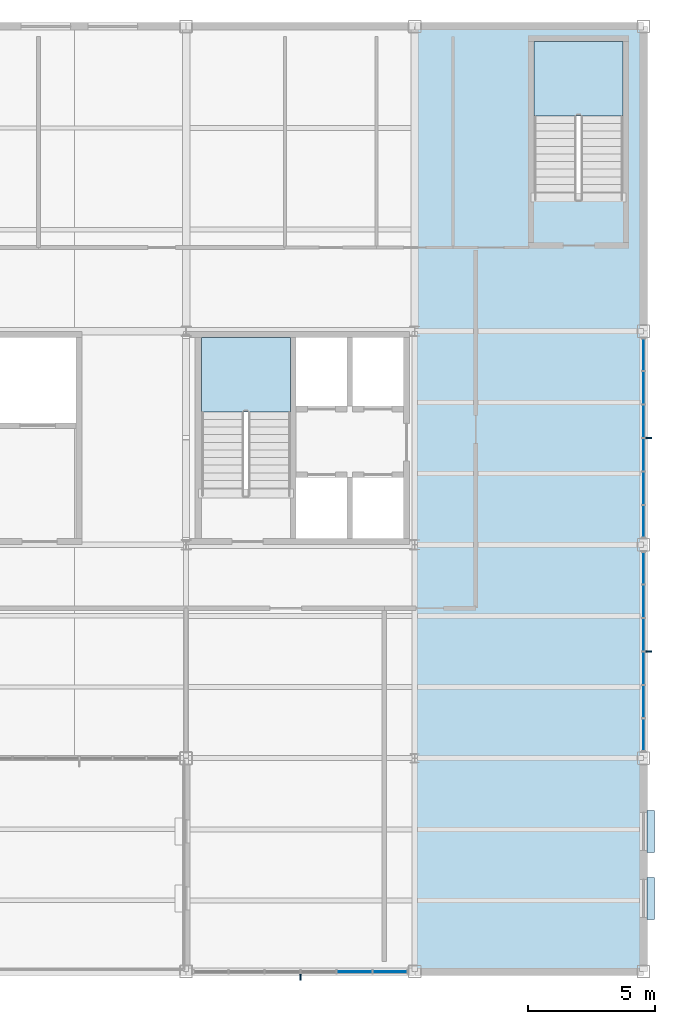
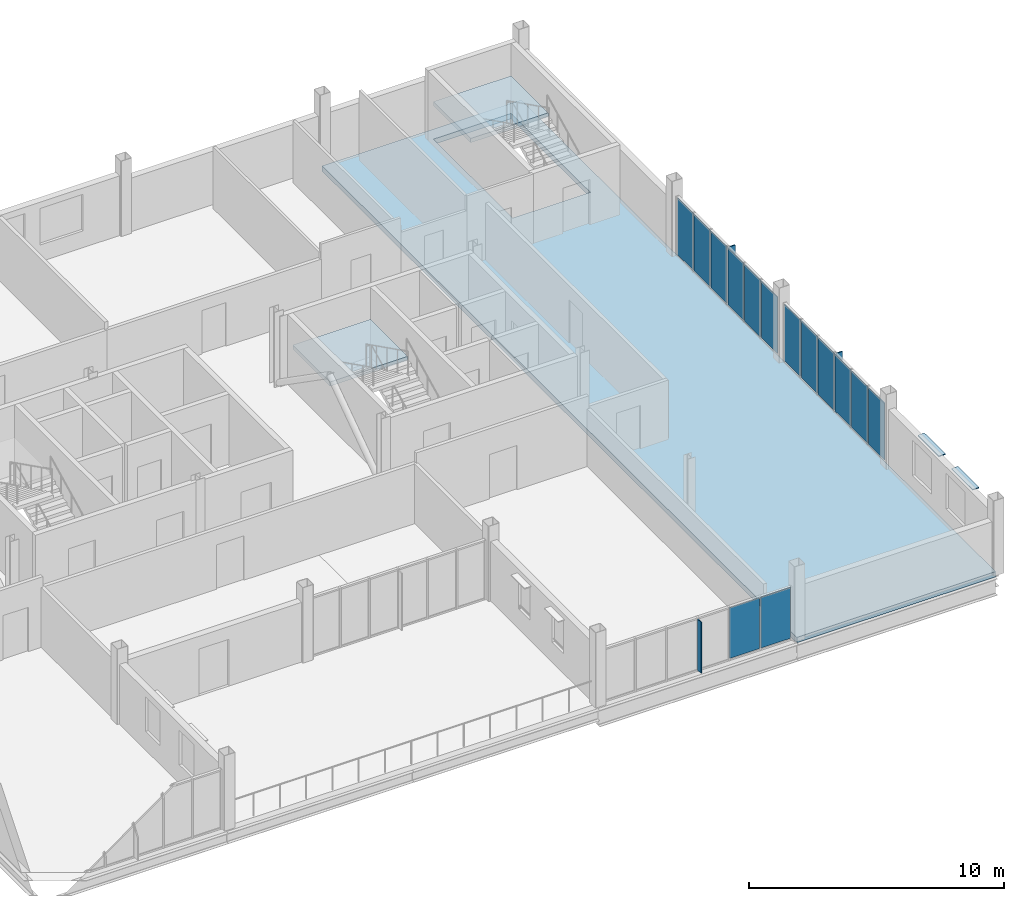
# One storey, part 12 of 20: 19 plates, 3 slabs, 5 elements without a shape of their own.
"""IFC4 building model written with IfcOpenShell, lengths in metres."""

from ifc_helpers import new_model, si_unit, direction, frame, origin, origin_2d, place, context, subcontext, project, spatial, polyline, rectangle, outline, extrude, material, layer, layer_set, type_object, element, aggregate, save


model = new_model("IFC4")

# Units and contexts
model_context = context("Model", 3, precision=1e-05, world=origin(), true_north=direction((0.0, 1.0)))
body_context = subcontext(model_context, "Body", "Model", "MODEL_VIEW")
ifc_project = project(units=[si_unit("LENGTHUNIT", "METRE"), si_unit("AREAUNIT", "SQUARE_METRE"), si_unit("VOLUMEUNIT", "CUBIC_METRE"), si_unit("PLANEANGLEUNIT", "RADIAN"), si_unit("MASSUNIT", "GRAM", prefix="KILO")], contexts=[model_context])

# Site, building, storey
site_placement = place(None, origin())
site = spatial("IfcSite", under=ifc_project, at=site_placement, CompositionType="ELEMENT")
building_placement = place(site_placement, origin())
building = spatial("IfcBuilding", under=site, at=building_placement, Name="Yukiwa Park Conservatory and Herbarium", CompositionType="ELEMENT")
storey_placement = place(building_placement, frame((0.0, 0.0, 28.199951171875)))
storey = spatial("IfcBuildingStorey", under=building, at=storey_placement, Name="L07", CompositionType="ELEMENT", Elevation=28.199951171875)

# Curtain wall, plates
ifc_material_1 = material(Name="Triple Low-E Insulated Glass", Category="glass")
ifc_layer_1 = layer(ifc_material_1, 0.248046875)
ifc_layer_set_1 = layer_set([ifc_layer_1], Name="Triple Low-E Insulated Glass")
curtain_wall_type_1 = type_object("IfcCurtainWallType", Name="CW-TOWER-LAB-S-1400", PredefinedType="NOTDEFINED", material=ifc_layer_set_1)
curtain_wall_1_placement = place(storey_placement, origin())
curtain_wall_1 = element("IfcCurtainWall", 1, at=curtain_wall_1_placement, inside=storey, type_object=curtain_wall_type_1, Name="L07 unitised curtain wall CW-L07-090", PredefinedType="NOTDEFINED")
ifc_material_2 = material(Name="Triple Low-E Insulated Glass", Category="glass")
ifc_layer_2 = layer(ifc_material_2, 0.035888671875)
ifc_layer_set_2 = layer_set([ifc_layer_2], Name="Triple Low-E Insulated Glass")
plate_type_1 = type_object("IfcPlateType", Name="PL-CW-GLZ-36", PredefinedType="CURTAIN_PANEL", material=ifc_layer_set_2)
plate_1_placement = place(storey_placement, frame((156.625, 78.0, 0.070068359375), z_axis=(0.0, 0.0, 1.0), x_axis=(1.0, 0.0, 0.0)))
plate_1 = element("IfcPlate", 2, at=plate_1_placement, type_object=plate_type_1, Name="CW-L07-090 vision panel 5.1", PredefinedType="CURTAIN_PANEL", context=body_context, shape_type="SweptSolid", body=[
    extrude(rectangle(XDim=1.3466796875, YDim=0.035888671875, at=origin_2d()), origin(), (0.0, 0.0, 1.0), 2.419921875),
])
plate_2_placement = place(storey_placement, frame((158.041748046875, 78.0, 0.070068359375), z_axis=(0.0, 0.0, 1.0), x_axis=(1.0, 0.0, 0.0)))
plate_2 = element("IfcPlate", 3, at=plate_2_placement, type_object=plate_type_1, Name="CW-L07-090 vision panel 6.1", PredefinedType="CURTAIN_PANEL", context=body_context, shape_type="SweptSolid", body=[
    extrude(rectangle(XDim=1.3466796875, YDim=0.035888671875, at=origin_2d()), origin(), (0.0, 0.0, 1.0), 2.419921875),
])
aggregate(curtain_wall_1, [plate_1, plate_2])

ifc_material_3 = material(Name="Triple Low-E Insulated Glass", Category="glass")
ifc_layer_3 = layer(ifc_material_3, 0.22412109375)
ifc_layer_set_3 = layer_set([ifc_layer_3], Name="Triple Low-E Insulated Glass")
curtain_wall_type_2 = type_object("IfcCurtainWallType", Name="CW-TOWER-CORNER-1400", PredefinedType="NOTDEFINED", material=ifc_layer_set_3)
curtain_wall_2_placement = place(storey_placement, origin())
curtain_wall_2 = element("IfcCurtainWall", 4, at=curtain_wall_2_placement, inside=storey, type_object=curtain_wall_type_2, Name="L07 unitised curtain wall CW-L07-091", PredefinedType="NOTDEFINED")
plate_3_placement = place(storey_placement, frame((168.0, 87.308349609375, 0.070068359375), z_axis=(0.0, 0.0, 1.0), x_axis=(0.0, 1.0, 0.0)))
plate_3 = element("IfcPlate", 5, at=plate_3_placement, type_object=plate_type_1, Name="CW-L07-091 vision panel 1.1", PredefinedType="CURTAIN_PANEL", context=body_context, shape_type="SweptSolid", body=[
    extrude(rectangle(XDim=1.24658203125, YDim=0.035888671875, at=origin_2d()), origin(), (0.0, 0.0, 1.0), 2.7119140625),
])
plate_4_placement = place(storey_placement, frame((168.0, 88.625, 0.070068359375), z_axis=(0.0, 0.0, 1.0), x_axis=(0.0, 1.0, 0.0)))
plate_4 = element("IfcPlate", 6, at=plate_4_placement, type_object=plate_type_1, Name="CW-L07-091 vision panel 2.1", PredefinedType="CURTAIN_PANEL", context=body_context, shape_type="SweptSolid", body=[
    extrude(rectangle(XDim=1.24658203125, YDim=0.035888671875, at=origin_2d()), origin(), (0.0, 0.0, 1.0), 2.7119140625),
])
plate_5_placement = place(storey_placement, frame((168.0, 89.941650390625, 0.070068359375), z_axis=(0.0, 0.0, 1.0), x_axis=(0.0, 1.0, 0.0)))
plate_5 = element("IfcPlate", 7, at=plate_5_placement, type_object=plate_type_1, Name="CW-L07-091 vision panel 3.1", PredefinedType="CURTAIN_PANEL", context=body_context, shape_type="SweptSolid", body=[
    extrude(rectangle(XDim=1.24658203125, YDim=0.035888671875, at=origin_2d()), origin(), (0.0, 0.0, 1.0), 2.7119140625),
])
plate_6_placement = place(storey_placement, frame((168.0, 91.25830078125, 0.070068359375), z_axis=(0.0, 0.0, 1.0), x_axis=(0.0, 1.0, 0.0)))
plate_6 = element("IfcPlate", 8, at=plate_6_placement, type_object=plate_type_1, Name="CW-L07-091 vision panel 4.1", PredefinedType="CURTAIN_PANEL", context=body_context, shape_type="SweptSolid", body=[
    extrude(rectangle(XDim=1.24658203125, YDim=0.035888671875, at=origin_2d()), origin(), (0.0, 0.0, 1.0), 2.7119140625),
])
plate_7_placement = place(storey_placement, frame((168.0, 92.574951171875, 0.070068359375), z_axis=(0.0, 0.0, 1.0), x_axis=(0.0, 1.0, 0.0)))
plate_7 = element("IfcPlate", 9, at=plate_7_placement, type_object=plate_type_1, Name="CW-L07-091 vision panel 5.1", PredefinedType="CURTAIN_PANEL", context=body_context, shape_type="SweptSolid", body=[
    extrude(rectangle(XDim=1.24658203125, YDim=0.035888671875, at=origin_2d()), origin(), (0.0, 0.0, 1.0), 2.7119140625),
])
plate_8_placement = place(storey_placement, frame((168.0, 93.8916015625, 0.070068359375), z_axis=(0.0, 0.0, 1.0), x_axis=(0.0, 1.0, 0.0)))
plate_8 = element("IfcPlate", 10, at=plate_8_placement, type_object=plate_type_1, Name="CW-L07-091 vision panel 6.1", PredefinedType="CURTAIN_PANEL", context=body_context, shape_type="SweptSolid", body=[
    extrude(rectangle(XDim=1.24658203125, YDim=0.035888671875, at=origin_2d()), origin(), (0.0, 0.0, 1.0), 2.7119140625),
])
aggregate(curtain_wall_2, [plate_3, plate_4, plate_5, plate_6, plate_7, plate_8])

curtain_wall_3_placement = place(storey_placement, origin())
curtain_wall_3 = element("IfcCurtainWall", 11, at=curtain_wall_3_placement, inside=storey, type_object=curtain_wall_type_2, Name="L07 unitised curtain wall CW-L07-092", PredefinedType="NOTDEFINED")
plate_9_placement = place(storey_placement, frame((168.0, 95.708251953125, 0.070068359375), z_axis=(0.0, 0.0, 1.0), x_axis=(0.0, 1.0, 0.0)))
plate_9 = element("IfcPlate", 12, at=plate_9_placement, type_object=plate_type_1, Name="CW-L07-092 vision panel 1.1", PredefinedType="CURTAIN_PANEL", context=body_context, shape_type="SweptSolid", body=[
    extrude(rectangle(XDim=1.24658203125, YDim=0.035888671875, at=origin_2d()), origin(), (0.0, 0.0, 1.0), 2.7119140625),
])
plate_10_placement = place(storey_placement, frame((168.0, 97.02490234375, 0.070068359375), z_axis=(0.0, 0.0, 1.0), x_axis=(0.0, 1.0, 0.0)))
plate_10 = element("IfcPlate", 13, at=plate_10_placement, type_object=plate_type_1, Name="CW-L07-092 vision panel 2.1", PredefinedType="CURTAIN_PANEL", context=body_context, shape_type="SweptSolid", body=[
    extrude(rectangle(XDim=1.24658203125, YDim=0.035888671875, at=origin_2d()), origin(), (0.0, 0.0, 1.0), 2.7119140625),
])
plate_11_placement = place(storey_placement, frame((168.0, 98.341796875, 0.070068359375), z_axis=(0.0, 0.0, 1.0), x_axis=(0.0, 1.0, 0.0)))
plate_11 = element("IfcPlate", 14, at=plate_11_placement, type_object=plate_type_1, Name="CW-L07-092 vision panel 3.1", PredefinedType="CURTAIN_PANEL", context=body_context, shape_type="SweptSolid", body=[
    extrude(rectangle(XDim=1.24658203125, YDim=0.035888671875, at=origin_2d()), origin(), (0.0, 0.0, 1.0), 2.7119140625),
])
plate_12_placement = place(storey_placement, frame((168.0, 99.658203125, 0.070068359375), z_axis=(0.0, 0.0, 1.0), x_axis=(0.0, 1.0, 0.0)))
plate_12 = element("IfcPlate", 15, at=plate_12_placement, type_object=plate_type_1, Name="CW-L07-092 vision panel 4.1", PredefinedType="CURTAIN_PANEL", context=body_context, shape_type="SweptSolid", body=[
    extrude(rectangle(XDim=1.24658203125, YDim=0.035888671875, at=origin_2d()), origin(), (0.0, 0.0, 1.0), 2.7119140625),
])
plate_13_placement = place(storey_placement, frame((168.0, 100.97509765625, 0.070068359375), z_axis=(0.0, 0.0, 1.0), x_axis=(0.0, 1.0, 0.0)))
plate_13 = element("IfcPlate", 16, at=plate_13_placement, type_object=plate_type_1, Name="CW-L07-092 vision panel 5.1", PredefinedType="CURTAIN_PANEL", context=body_context, shape_type="SweptSolid", body=[
    extrude(rectangle(XDim=1.24658203125, YDim=0.035888671875, at=origin_2d()), origin(), (0.0, 0.0, 1.0), 2.7119140625),
])
plate_14_placement = place(storey_placement, frame((168.0, 102.291748046875, 0.070068359375), z_axis=(0.0, 0.0, 1.0), x_axis=(0.0, 1.0, 0.0)))
plate_14 = element("IfcPlate", 17, at=plate_14_placement, type_object=plate_type_1, Name="CW-L07-092 vision panel 6.1", PredefinedType="CURTAIN_PANEL", context=body_context, shape_type="SweptSolid", body=[
    extrude(rectangle(XDim=1.24658203125, YDim=0.035888671875, at=origin_2d()), origin(), (0.0, 0.0, 1.0), 2.7119140625),
])
aggregate(curtain_wall_3, [plate_9, plate_10, plate_11, plate_12, plate_13, plate_14])

# Plates
ifc_material_4 = material(Name="Anodised Aluminium", Category="aluminium")
ifc_layer_4 = layer(ifc_material_4, 0.050048828125)
ifc_layer_set_4 = layer_set([ifc_layer_4], Name="Anodised Aluminium")
plate_type_2 = type_object("IfcPlateType", Name="PL-FIN-ALU-50", PredefinedType="USERDEFINED", material=ifc_layer_set_4)
plate_15_placement = place(storey_placement, frame((154.5, 77.81005859375, 0.06005859375), z_axis=(0.0, 0.0, 1.0), x_axis=(1.0, 0.0, 0.0)))
element("IfcPlate", 18, at=plate_15_placement, inside=storey, type_object=plate_type_2, Name="CW-L07-090 exterior vertical shading fin", ObjectType="SHADING FIN", PredefinedType="USERDEFINED", context=body_context, shape_type="SweptSolid", body=[
    extrude(rectangle(XDim=0.050048828125, YDim=0.280029296875, at=origin_2d()), origin(), (0.0, 0.0, 1.0), 2.43994140625),
])
for number, where, z_axis, x_axis, name in (
    (19, (168.18994140625, 90.60009765625, 0.06005859375), (0.0, 0.0, 1.0), (0.0, 1.0, 0.0), "CW-L07-091 exterior vertical shading fin"),
    (20, (168.18994140625, 99.0, 0.06005859375), (0.0, 0.0, 1.0), (0.0, 1.0, 0.0), "CW-L07-092 exterior vertical shading fin"),
):
    element("IfcPlate", number, at=place(storey_placement, frame(where, z_axis=z_axis, x_axis=x_axis)), inside=storey, type_object=plate_type_2, Name=name, ObjectType="SHADING FIN", PredefinedType="USERDEFINED", context=body_context, shape_type="SweptSolid", body=[
        extrude(rectangle(XDim=0.050048828125, YDim=0.280029296875, at=origin_2d()), origin(), (0.0, 0.0, 1.0), 2.73193359375),
    ])
ifc_material_5 = material(Name="Anodised Aluminium", Category="aluminium")
ifc_layer_5 = layer(ifc_material_5, 0.0400390625)
ifc_layer_set_5 = layer_set([ifc_layer_5], Name="Anodised Aluminium")
plate_type_3 = type_object("IfcPlateType", Name="PL-SHADE-ALU-40", PredefinedType="SHEET", material=ifc_layer_set_5)
for number, where, z_axis, x_axis, name in (
    (21, (168.2900390625, 80.883056640625, 2.590087890625), (0.0, 0.0, 1.0), (0.0, 1.0, 0.0), "L07 snow-shedding window hood 159"),
    (22, (168.2900390625, 83.51708984375, 2.590087890625), (0.0, 0.0, 1.0), (0.0, 1.0, 0.0), "L07 snow-shedding window hood 160"),
):
    element("IfcPlate", number, at=place(storey_placement, frame(where, z_axis=z_axis, x_axis=x_axis)), inside=storey, type_object=plate_type_3, Name=name, PredefinedType="SHEET", context=body_context, shape_type="SweptSolid", body=[
        extrude(rectangle(XDim=1.659912109375, YDim=0.300048828125, at=origin_2d()), origin(), (0.0, 0.0, 1.0), 0.0400390625),
    ])

# Slab
ifc_material_6 = material(Name="Concrete C40", Category="concrete")
ifc_layer_6 = layer(ifc_material_6, 0.2548828125)
ifc_layer_set_6 = layer_set([ifc_layer_6], Name="Concrete C40")
slab_type_1 = type_object("IfcSlabType", Name="SL-FLR-255", PredefinedType="FLOOR", material=ifc_layer_set_6)
slab_1_placement = place(storey_placement, frame((0.0, 0.0, -0.2548828125)))
element("IfcSlab", 23, at=slab_1_placement, inside=storey, type_object=slab_type_1, Name="L07 composite structural floor slab V5E", PredefinedType="FLOOR", context=body_context, shape_type="SweptSolid", body=[
    extrude(outline(polyline([(168.0, 78.0), (159.0, 78.0), (159.0, 115.199951171875), (168.0, 115.199951171875), (168.0, 78.0)]), holes=[polyline([(167.199951171875, 114.60009765625), (163.68994140625, 114.60009765625), (163.68994140625, 108.3798828125), (167.199951171875, 108.3798828125), (167.199951171875, 114.60009765625)])]), origin(), (0.0, 0.0, 1.0), 0.2548828125),
])

# Stair, slab
ifc_material_7 = material(Name="Concrete C40", Category="concrete")
stair_type_1 = type_object("IfcStairType", Name="ST-DOGLEG-ST-T2", PredefinedType="HALF_TURN_STAIR", material=ifc_material_7)
stair_1_placement = place(storey_placement, origin())
stair_1 = element("IfcStair", 24, at=stair_1_placement, inside=storey, type_object=stair_type_1, Name="L07 Protected Smoke-Proof Stair ST-T2", PredefinedType="HALF_TURN_STAIR")
ifc_material_8 = material(Name="Concrete C40", Category="concrete")
ifc_layer_7 = layer(ifc_material_8, 0.199951171875)
ifc_layer_set_7 = layer_set([ifc_layer_7], Name="Concrete C40")
slab_type_2 = type_object("IfcSlabType", Name="SL-LANDING-220", PredefinedType="LANDING", material=ifc_layer_set_7)
slab_2_placement = place(storey_placement, frame((0.0, 0.0, 1.60009765625)))
slab_2 = element("IfcSlab", 25, at=slab_2_placement, type_object=slab_type_2, Name="ST-T2 landing 1", PredefinedType="LANDING", context=body_context, shape_type="SweptSolid", body=[
    extrude(outline(polyline([(154.110107421875, 100.030029296875), (154.110107421875, 102.949951171875), (150.60009765625, 102.949951171875), (150.60009765625, 100.030029296875), (154.110107421875, 100.030029296875)])), origin(), (0.0, 0.0, 1.0), 0.199951171875),
])
aggregate(stair_1, [slab_2])

ifc_material_9 = material(Name="Concrete C40", Category="concrete")
stair_type_2 = type_object("IfcStairType", Name="ST-DOGLEG-ST-T3", PredefinedType="HALF_TURN_STAIR", material=ifc_material_9)
stair_2_placement = place(storey_placement, origin())
stair_2 = element("IfcStair", 26, at=stair_2_placement, inside=storey, type_object=stair_type_2, Name="L07 Protected Smoke-Proof Stair ST-T3", PredefinedType="HALF_TURN_STAIR")
slab_3_placement = place(storey_placement, frame((0.0, 0.0, 1.60009765625)))
slab_3 = element("IfcSlab", 27, at=slab_3_placement, type_object=slab_type_2, Name="ST-T3 landing 1", PredefinedType="LANDING", context=body_context, shape_type="SweptSolid", body=[
    extrude(outline(polyline([(167.199951171875, 111.679931640625), (167.199951171875, 114.60009765625), (163.68994140625, 114.60009765625), (163.68994140625, 111.679931640625), (167.199951171875, 111.679931640625)])), origin(), (0.0, 0.0, 1.0), 0.199951171875),
])
aggregate(stair_2, [slab_3])

save(model, "model.ifc")
